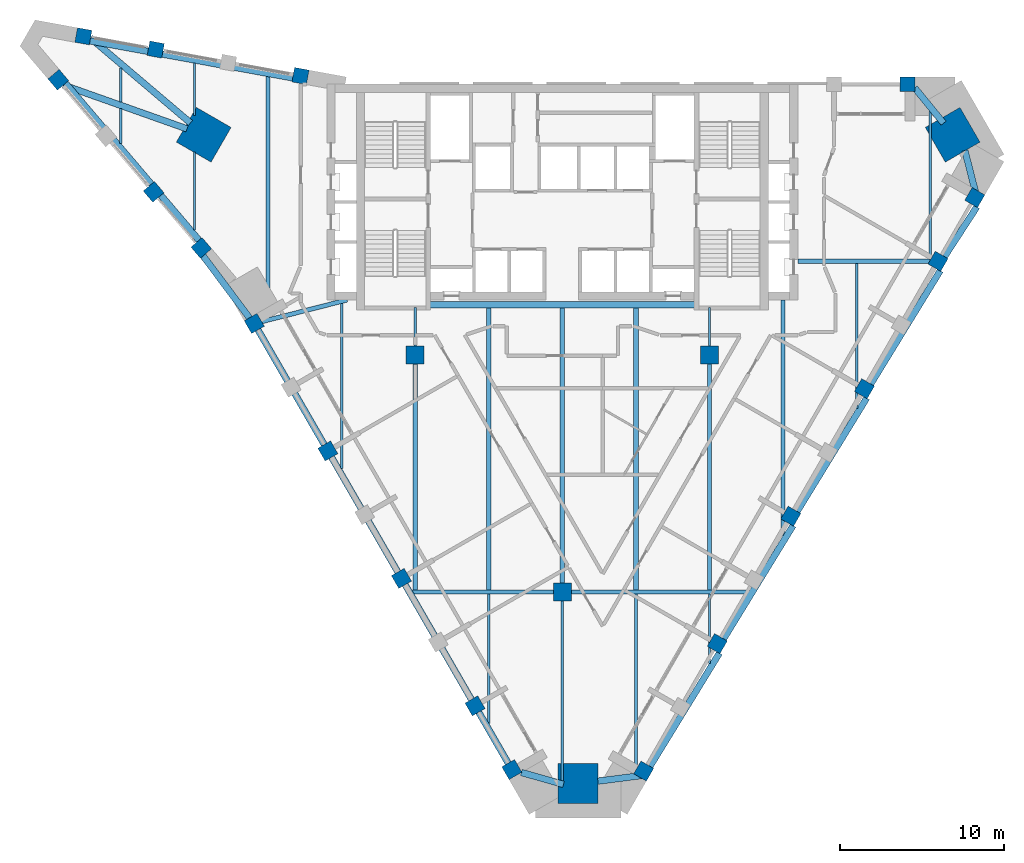
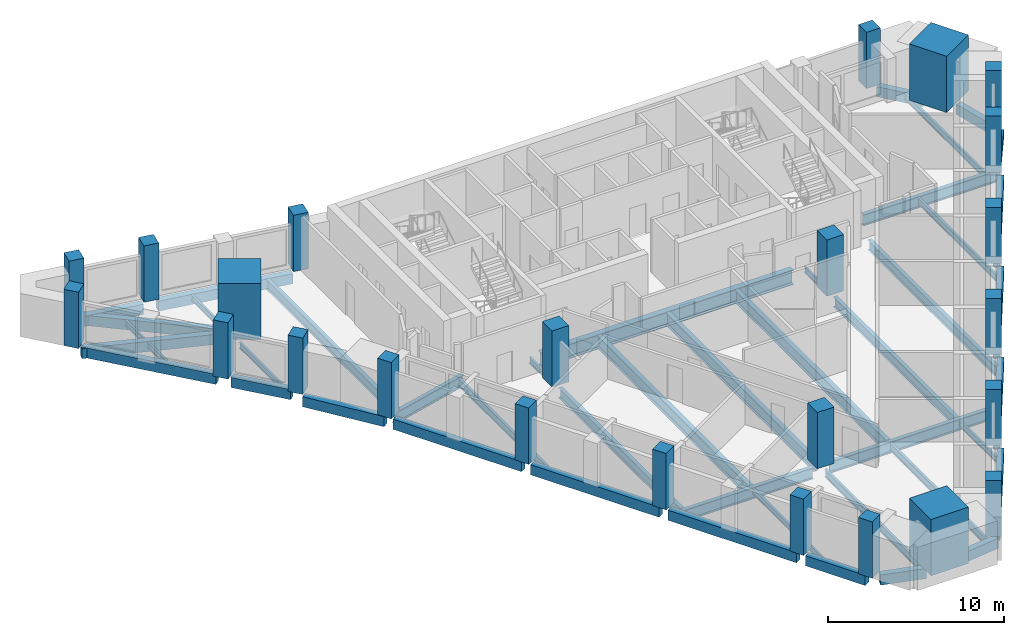
# One storey, part 1 of 9: 45 beams, 24 columns.
"""IFC4 building model written with IfcOpenShell, lengths in metres."""

import ifcopenshell
import ifcopenshell.guid

model = None  # the IFC model being written
_history = None  # IfcOwnerHistory: only IFC2X3 demands one
_inside = {}  # id of a spatial element -> (the spatial element, [elements in it])
_under = {}  # id of a project, library or spatial element -> (it, [spatial elements below it])
_declared = {}  # id of a project -> (the project, [libraries it declares])
_typed = {}  # id of a type object -> (the type object, [elements of that type])
_made_of = {}  # id of a material, layer set ... -> (it, [elements and type objects made of it])


def new_model(schema):
    """Start an empty IFC model of exactly this schema.

    Asked for "IFC4X3", IfcOpenShell would pick the latest addendum, in which some entities
    have other attributes; the version numbers below select the first issue.
    IFC2X3 requires an IfcOwnerHistory on every rooted entity: one is made here for all.
    """
    global model, _history
    if schema == "IFC4X3":
        model = ifcopenshell.file(schema_version=(4, 3, 0, 0))
    else:
        model = ifcopenshell.file(schema=schema)
    _inside.clear()
    _under.clear()
    _declared.clear()
    _typed.clear()
    _made_of.clear()
    _history = None
    if model.schema == "IFC2X3":
        org = make("IfcOrganization", Name="unknown")
        user = make(
            "IfcPersonAndOrganization",
            ThePerson=make("IfcPerson", FamilyName="unknown"),
            TheOrganization=org,
        )
        app = make(
            "IfcApplication",
            ApplicationDeveloper=org,
            Version="unknown",
            ApplicationFullName="unknown",
            ApplicationIdentifier="unknown",
        )
        _history = make(
            "IfcOwnerHistory",
            OwningUser=user,
            OwningApplication=app,
            ChangeAction="ADDED",
            CreationDate=0,
        )
    return model


def make(cls, **values):
    """One entity of the class cls with the attributes given. An attribute that is None is left unset."""
    return model.create_entity(
        cls, **{name: value for name, value in values.items() if value is not None}
    )


def rooted(cls, **values):
    """An entity with a GlobalId (a new one), such as an element, a storey or a relation."""
    return make(cls, GlobalId=ifcopenshell.guid.new(), OwnerHistory=_history, **values)


def si_unit(unit_type, name, prefix=None):
    """IfcSIUnit, for example si_unit("LENGTHUNIT", "METRE", prefix="MILLI")."""
    return make("IfcSIUnit", UnitType=unit_type, Prefix=prefix, Name=name)


def assignment(units):
    """IfcUnitAssignment: the units of a project."""
    return None if units is None else make("IfcUnitAssignment", Units=units)


def point(xyz):
    """IfcCartesianPoint."""
    return None if xyz is None else make("IfcCartesianPoint", Coordinates=xyz)


def direction(xyz):
    """IfcDirection."""
    return None if xyz is None else make("IfcDirection", DirectionRatios=xyz)


def frame(location, z_axis=None, x_axis=None):
    """IfcAxis2Placement3D, a coordinate frame: its origin and axes. An axis left out is left unset."""
    return make(
        "IfcAxis2Placement3D",
        Location=point(location),
        Axis=direction(z_axis),
        RefDirection=direction(x_axis),
    )


def frame_2d(location, x_axis=None):
    """IfcAxis2Placement2D, a coordinate frame in the plane: its origin and x axis."""
    return make(
        "IfcAxis2Placement2D", Location=point(location), RefDirection=direction(x_axis)
    )


def origin():
    """The frame at (0, 0, 0) with its axes left unset."""
    return frame((0.0, 0.0, 0.0))


def origin_2d():
    """The frame at (0, 0) in the plane with its x axis left unset."""
    return frame_2d((0.0, 0.0))


def place(relative_to, where):
    """IfcLocalPlacement: puts the frame where relative to a parent placement (None: the world)."""
    return make(
        "IfcLocalPlacement", PlacementRelTo=relative_to, RelativePlacement=where
    )


def context(
    kind, dimensions, precision=None, world=None, true_north=None, identifier=None
):
    """IfcGeometricRepresentationContext, for example the 3D "Model" context."""
    return make(
        "IfcGeometricRepresentationContext",
        ContextIdentifier=identifier,
        ContextType=kind,
        CoordinateSpaceDimension=dimensions,
        Precision=precision,
        WorldCoordinateSystem=world,
        TrueNorth=true_north,
    )


def subcontext(parent, identifier, kind, view, scale=None):
    """IfcGeometricRepresentationSubContext, for example "Body" below "Model"."""
    return make(
        "IfcGeometricRepresentationSubContext",
        ContextIdentifier=identifier,
        ContextType=kind,
        ParentContext=parent,
        TargetScale=scale,
        TargetView=view,
    )


def project(units=None, contexts=None):
    """IfcProject with its units and contexts."""
    return rooted(
        "IfcProject",
        Name="project",
        RepresentationContexts=contexts,
        UnitsInContext=assignment(units),
    )


def spatial(cls, under=None, at=None, **own):
    """A site, building, storey or space (cls), placed at a placement, below another one or the project."""
    s = rooted(cls, ObjectPlacement=at, **own)
    if under is not None:
        _under.setdefault(under.id(), (under, []))[1].append(s)
    return s


def profile(cls, at=None, kind="AREA", **sizes):
    """A parametric profile (cls). Its sizes go by their IFC names, for example OverallWidth=200.0."""
    return make(cls, ProfileType=kind, Position=at, **sizes)


def rectangle(**sizes):
    """IfcRectangleProfileDef."""
    return profile("IfcRectangleProfileDef", **sizes)


def i_section(**sizes):
    """IfcIShapeProfileDef."""
    return profile("IfcIShapeProfileDef", **sizes)


def extrude(swept, where, along, depth):
    """IfcExtrudedAreaSolid: the profile swept, set in the frame where, extruded along a direction by depth."""
    return make(
        "IfcExtrudedAreaSolid",
        SweptArea=swept,
        Position=where,
        ExtrudedDirection=direction(along),
        Depth=depth,
    )


def shape(context_of_items, identifier, shape_type, items):
    """IfcShapeRepresentation: the items that make up one representation, for example the "Body"."""
    return make(
        "IfcShapeRepresentation",
        ContextOfItems=context_of_items,
        RepresentationIdentifier=identifier,
        RepresentationType=shape_type,
        Items=items,
    )


def material(Name=None, Category=None):
    """IfcMaterial."""
    return make("IfcMaterial", Name=Name, Category=Category)


def material_profile(
    of_material, cross_section, Name=None, Category=None, Priority=None
):
    """IfcMaterialProfile: a cross section and its material."""
    return make(
        "IfcMaterialProfile",
        Name=Name,
        Material=of_material,
        Profile=cross_section,
        Priority=Priority,
        Category=Category,
    )


def profile_set(profiles, Name=None, composite=None):
    """IfcMaterialProfileSet."""
    return make(
        "IfcMaterialProfileSet",
        Name=Name,
        MaterialProfiles=profiles,
        CompositeProfile=composite,
    )


def made_of(thing, what):
    """Note that an element or type object is made of a material, layer set ...; save() writes the relation."""
    if what is not None:
        _made_of.setdefault(what.id(), (what, []))[1].append(thing)
    return thing


def type_object(cls, material=None, **own):
    """A type object (cls), such as IfcWallType, which elements share."""
    return made_of(rooted(cls, **own), material)


def element(
    cls,
    number,
    at=None,
    inside=None,
    cuts=None,
    type_object=None,
    material=None,
    context=None,
    identifier="Body",
    shape_type=None,
    held_by="IfcProductDefinitionShape",
    body=None,
    shapes=None,
    **own,
):
    """One element of the class cls, such as IfcWall. Its Tag is "e" and its number.

    at: its placement. inside: the storey or other place that contains it. cuts: it is an
    opening in that element (IfcRelVoidsElement). A single representation is given by context,
    identifier, shape_type and body (its items); several are given by shapes. held_by: the class
    of the entity that holds the representations. save() writes the other relations.
    """
    e = rooted(cls, Tag="e%d" % number, ObjectPlacement=at, **own)
    if body is not None:
        shapes = [shape(context, identifier, shape_type, body)]
    if shapes is not None:
        e.Representation = make(held_by, Representations=shapes)
    if inside is not None:
        _inside.setdefault(inside.id(), (inside, []))[1].append(e)
    if cuts is not None:
        rooted(
            "IfcRelVoidsElement", RelatingBuildingElement=cuts, RelatedOpeningElement=e
        )
    if type_object is not None:
        _typed.setdefault(type_object.id(), (type_object, []))[1].append(e)
    return made_of(e, material)


def aggregate(whole, parts):
    """IfcRelAggregates: a whole, such as a stair, and the parts it consists of."""
    return rooted("IfcRelAggregates", RelatingObject=whole, RelatedObjects=parts)


def save(model, path):
    """Write the relations noted so far, then the file.

    IfcRelAggregates (storeys below a building ...), IfcRelContainedInSpatialStructure (elements
    in a storey), IfcRelDefinesByType, IfcRelAssociatesMaterial and IfcRelDeclares: one each for
    every whole, place, type object, material and project.
    """
    for whole, parts in _under.values():
        aggregate(whole, parts)
    for where, things in _inside.values():
        rooted(
            "IfcRelContainedInSpatialStructure",
            RelatedElements=things,
            RelatingStructure=where,
        )
    for kind, things in _typed.values():
        rooted("IfcRelDefinesByType", RelatedObjects=things, RelatingType=kind)
    for what, things in _made_of.values():
        rooted("IfcRelAssociatesMaterial", RelatedObjects=things, RelatingMaterial=what)
    for by, libraries in _declared.values():
        rooted("IfcRelDeclares", RelatingContext=by, RelatedDefinitions=libraries)
    model.write(path)


model = new_model("IFC4")

# Units and contexts
model_context = context("Model", 3, precision=1e-05, world=origin(), true_north=direction((0.0, 1.0)))
body_context = subcontext(model_context, "Body", "Model", "MODEL_VIEW")
ifc_project = project(units=[si_unit("LENGTHUNIT", "METRE"), si_unit("AREAUNIT", "SQUARE_METRE"), si_unit("VOLUMEUNIT", "CUBIC_METRE"), si_unit("PLANEANGLEUNIT", "RADIAN"), si_unit("MASSUNIT", "GRAM", prefix="KILO")], contexts=[model_context])

# Site, building, storey
site_placement = place(None, origin())
site = spatial("IfcSite", under=ifc_project, at=site_placement, CompositionType="ELEMENT")
building_placement = place(site_placement, origin())
building = spatial("IfcBuilding", under=site, at=building_placement, Name="Calabash Gate Tower", CompositionType="ELEMENT")
storey_placement = place(building_placement, frame((0.0, 0.0, 208.10009765625)))
storey = spatial("IfcBuildingStorey", under=building, at=storey_placement, Name="L49", CompositionType="ELEMENT", Elevation=208.10009765625)

# Columns
ifc_material_1 = material(Name="Concrete C60/75", Category="concrete")
ifc_material_profile_1 = material_profile(ifc_material_1, rectangle(XDim=1.10009765625, YDim=1.10009765625, at=origin_2d()))
ifc_profile_set_1 = profile_set([ifc_material_profile_1], Name="Concrete C60/75")
column_type_1 = type_object("IfcColumnType", Name="Interior column RC 1100x1100 Concrete C60/75", PredefinedType="COLUMN", material=ifc_profile_set_1)
for number, where, z_axis, x_axis, name in (
    (1, (-9.0, 2.5, 0.0), (0.0, 0.0, 1.0), (1.0, 0.0, 0.0), "Interior column L49 I0"),
    (2, (9.0, 2.5, 0.0), (0.0, 0.0, 1.0), (1.0, 0.0, 0.0), "Interior column L49 I1"),
    (3, (0.0, -12.0, 0.0), (0.0, 0.0, 1.0), (1.0, 0.0, 0.0), "Interior column L49 I2"),
):
    element("IfcColumn", number, at=place(storey_placement, frame(where, z_axis=z_axis, x_axis=x_axis)), inside=storey, type_object=column_type_1, Name=name, PredefinedType="COLUMN", context=body_context, shape_type="SweptSolid", body=[
        extrude(rectangle(XDim=1.10009765625, YDim=1.10009765625, at=origin_2d()), origin(), (0.0, 0.0, 1.0), 3.89990234375),
    ])
ifc_material_2 = material(Name="Concrete C70/85", Category="concrete")
ifc_material_profile_2 = material_profile(ifc_material_2, rectangle(XDim=2.449951171875, YDim=2.449951171875, at=origin_2d()))
ifc_profile_set_2 = profile_set([ifc_material_profile_2], Name="Concrete C70/85")
column_type_2 = type_object("IfcColumnType", Name="Mega column RC 2450x2450 Concrete C70/85", PredefinedType="COLUMN", material=ifc_profile_set_2)
for number, where, z_axis, x_axis, name in (
    (4, (-21.93310546875, 15.958984375, 0.0), (0.0, 0.0, 1.0), (0.866025386331, -0.50000003023, 0.0), "Mega column L49 NW"),
    (5, (23.868896484375, 15.958984375, 0.0), (0.0, 0.0, 1.0), (-0.866025386331, -0.50000003023, 0.0), "Mega column L49 NE"),
    (6, (0.968017578125, -23.70703125, 0.0), (0.0, 0.0, 1.0), (0.0, 1.0, 0.0), "Mega column L49 S"),
):
    element("IfcColumn", number, at=place(storey_placement, frame(where, z_axis=z_axis, x_axis=x_axis)), inside=storey, type_object=column_type_2, Name=name, PredefinedType="COLUMN", context=body_context, shape_type="SweptSolid", body=[
        extrude(rectangle(XDim=2.449951171875, YDim=2.449951171875, at=origin_2d()), origin(), (0.0, 0.0, 1.0), 3.89990234375),
    ])
ifc_material_3 = material(Name="Concrete C60/75", Category="concrete")
ifc_material_profile_3 = material_profile(ifc_material_3, rectangle(XDim=0.89990234375, YDim=0.89990234375, at=origin_2d()))
ifc_profile_set_3 = profile_set([ifc_material_profile_3], Name="Concrete C60/75")
column_type_3 = type_object("IfcColumnType", Name="Perimeter column RC 900x900 Concrete C60/75", PredefinedType="COLUMN", material=ifc_profile_set_3)
for number, where, z_axis, x_axis, name in (
    (7, (-18.840087890625, 4.4169921875, 0.0), (0.0, 0.0, 1.0), (0.499999984885, -0.866025412511, 0.0), "Perimeter column L49 P00"),
    (8, (-14.340087890625, -3.37890625, 0.0), (0.0, 0.0, 1.0), (0.499999984885, -0.866025412511, 0.0), "Perimeter column L49 P01"),
    (9, (-9.840087890625, -11.173095703125, 0.0), (0.0, 0.0, 1.0), (0.499999984885, -0.866025412511, 0.0), "Perimeter column L49 P02"),
    (10, (-5.340087890625, -18.967041015625, 0.0), (0.0, 0.0, 1.0), (0.499999984885, -0.866025412511, 0.0), "Perimeter column L49 P03"),
    (11, (-3.090087890625, -22.863037109375, 0.0), (0.0, 0.0, 1.0), (0.499999984885, -0.866025412511, 0.0), "Perimeter column L49 P25"),
    (12, (4.972900390625, -22.95703125, 0.0), (0.0, 0.0, 1.0), (0.5, 0.866025403784, 0.0), "Perimeter column L49 P08"),
    (13, (9.472900390625, -15.1630859375, 0.0), (0.0, 0.0, 1.0), (0.5, 0.866025403784, 0.0), "Perimeter column L49 P09"),
    (14, (13.972900390625, -7.368896484375, 0.0), (0.0, 0.0, 1.0), (0.5, 0.866025403784, 0.0), "Perimeter column L49 P10"),
    (15, (18.472900390625, 0.427001953125, 0.0), (0.0, 0.0, 1.0), (0.5, 0.866025403784, 0.0), "Perimeter column L49 P11"),
    (16, (22.972900390625, 8.218994140625, 0.0), (0.0, 0.0, 1.0), (0.5, 0.866025403784, 0.0), "Perimeter column L49 P12"),
    (17, (25.222900390625, 12.116943359375, 0.0), (0.0, 0.0, 1.0), (0.5, 0.866025403784, 0.0), "Perimeter column L49 P13"),
    (18, (21.111083984375, 19.052978515625, 0.0), (0.0, 0.0, 1.0), (-1.0, 0.0, 0.0), "Perimeter column L49 P24"),
    (19, (-16.012939453125, 19.551025390625, 0.0), (0.0, 0.0, 1.0), (-0.983669930074, 0.179981856499, 0.0), "Perimeter column L49 P31"),
    (20, (-24.865966796875, 21.1708984375, 0.0), (0.0, 0.0, 1.0), (-0.983669930074, 0.179981856499, 0.0), "Perimeter column L49 P32"),
    (21, (-29.29296875, 21.97998046875, 0.0), (0.0, 0.0, 1.0), (-0.983669930074, 0.179981856499, 0.0), "Perimeter column L49 P33"),
    (22, (-30.827880859375, 19.322021484375, 0.0), (0.0, 0.0, 1.0), (0.647703824985, -0.761892220133, 0.0), "Perimeter column L49 P34"),
    (23, (-24.998046875, 12.467041015625, 0.0), (0.0, 0.0, 1.0), (0.647703824985, -0.761892220133, 0.0), "Perimeter column L49 P20"),
    (24, (-22.083984375, 9.037109375, 0.0), (0.0, 0.0, 1.0), (0.647703824985, -0.761892220133, 0.0), "Perimeter column L49 P35"),
):
    element("IfcColumn", number, at=place(storey_placement, frame(where, z_axis=z_axis, x_axis=x_axis)), inside=storey, type_object=column_type_3, Name=name, PredefinedType="COLUMN", context=body_context, shape_type="SweptSolid", body=[
        extrude(rectangle(XDim=0.89990234375, YDim=0.89990234375, at=origin_2d()), origin(), (0.0, 0.0, 1.0), 3.89990234375),
    ])

# Beams
ifc_material_4 = material(Name="Concrete C50/60", Category="concrete")
ifc_material_profile_4 = material_profile(ifc_material_4, rectangle(XDim=0.39990234375, YDim=0.699951171875, at=origin_2d()))
ifc_profile_set_4 = profile_set([ifc_material_profile_4], Name="Concrete C50/60")
beam_type_1 = type_object("IfcBeamType", Name="Edge beam RC 400x700 Concrete C50/60", PredefinedType="BEAM", material=ifc_profile_set_4)
beam_1_placement = place(storey_placement, frame((-14.1279296875, -3.7470703125, -0.52001953125), z_axis=(0.500069781462, -0.86598511169, 0.0), x_axis=(0.86598511169, 0.500069781462, 0.0)))
element("IfcBeam", 25, at=beam_1_placement, inside=storey, type_object=beam_type_1, Name="Edge beam L49 1", PredefinedType="BEAM", context=body_context, shape_type="SweptSolid", body=[
    extrude(rectangle(XDim=0.39990234375, YDim=0.699951171875, at=origin_2d()), origin(), (0.0, 0.0, 1.0), 8.416748046875),
])
beam_2_placement = place(storey_placement, frame((-9.6279296875, -11.541015625, -0.52001953125), z_axis=(0.500006981563, -0.86602137294, 0.0), x_axis=(0.86602137294, 0.500006981563, 0.0)))
element("IfcBeam", 26, at=beam_2_placement, inside=storey, type_object=beam_type_1, Name="Edge beam L49 2", PredefinedType="BEAM", context=body_context, shape_type="SweptSolid", body=[
    extrude(rectangle(XDim=0.39990234375, YDim=0.699951171875, at=origin_2d()), origin(), (0.0, 0.0, 1.0), 8.41796875),
])
beam_3_placement = place(storey_placement, frame((-5.1279296875, -19.3330078125, -0.52001953125), z_axis=(0.499783563124, -0.866150327617, 0.0), x_axis=(0.866150327617, 0.499783563124, 0.0)))
element("IfcBeam", 27, at=beam_3_placement, inside=storey, type_object=beam_type_1, Name="Edge beam L49 3", PredefinedType="BEAM", context=body_context, shape_type="SweptSolid", body=[
    extrude(rectangle(XDim=0.39990234375, YDim=0.699951171875, at=origin_2d()), origin(), (0.0, 0.0, 1.0), 3.919677734375),
])
beam_4_placement = place(storey_placement, frame((-2.511962890625, -23.0390625, -0.52001953125), z_axis=(0.961954903089, -0.273208280299, 0.0), x_axis=(0.273208280299, 0.961954903089, 0.0)))
element("IfcBeam", 28, at=beam_4_placement, inside=storey, type_object=beam_type_1, Name="Edge beam L49 4", PredefinedType="BEAM", context=body_context, shape_type="SweptSolid", body=[
    extrude(rectangle(XDim=0.39990234375, YDim=0.699951171875, at=origin_2d()), origin(), (0.0, 0.0, 1.0), 2.686279296875),
])
beam_5_placement = place(storey_placement, frame((2.172119140625, -23.572998046875, -0.52001953125), z_axis=(0.991784485926, 0.127920027662, 0.0), x_axis=(-0.127920027662, 0.991784485926, 0.0)))
element("IfcBeam", 29, at=beam_5_placement, inside=storey, type_object=beam_type_1, Name="Edge beam L49 5", PredefinedType="BEAM", context=body_context, shape_type="SweptSolid", body=[
    extrude(rectangle(XDim=0.39990234375, YDim=0.699951171875, at=origin_2d()), origin(), (0.0, 0.0, 1.0), 2.86865234375),
])
beam_6_placement = place(storey_placement, frame((5.35009765625, -22.680908203125, -0.52001953125), z_axis=(0.522678714297, 0.852529742367, 0.0), x_axis=(-0.852529742367, 0.522678714297, 0.0)))
element("IfcBeam", 30, at=beam_6_placement, inside=storey, type_object=beam_type_1, Name="Edge beam L49 6", PredefinedType="BEAM", context=body_context, shape_type="SweptSolid", body=[
    extrude(rectangle(XDim=0.39990234375, YDim=0.699951171875, at=origin_2d()), origin(), (0.0, 0.0, 1.0), 8.146240234375),
])
for number, where, z_axis, x_axis, name in (
    (31, (9.85009765625, -14.886962890625, -0.52001953125), (0.522611947946, 0.85257067265, 0.0), (-0.85257067265, 0.522611947946, 0.0), "Edge beam L49 7"),
    (32, (14.35009765625, -7.093017578125, -0.52001953125), (0.522611947946, 0.85257067265, 0.0), (-0.85257067265, 0.522611947946, 0.0), "Edge beam L49 8"),
    (33, (18.85009765625, 0.700927734375, -0.52001953125), (0.522611947946, 0.85257067265, 0.0), (-0.85257067265, 0.522611947946, 0.0), "Edge beam L49 9"),
):
    element("IfcBeam", number, at=place(storey_placement, frame(where, z_axis=z_axis, x_axis=x_axis)), inside=storey, type_object=beam_type_1, Name=name, PredefinedType="BEAM", context=body_context, shape_type="SweptSolid", body=[
        extrude(rectangle(XDim=0.39990234375, YDim=0.699951171875, at=origin_2d()), origin(), (0.0, 0.0, 1.0), 8.147216796875),
    ])
beam_7_placement = place(storey_placement, frame((23.360107421875, 8.489990234375, -0.52001953125), z_axis=(0.544748454495, 0.838599499955, 0.0), x_axis=(-0.838599499955, 0.544748454495, 0.0)))
element("IfcBeam", 34, at=beam_7_placement, inside=storey, type_object=beam_type_1, Name="Edge beam L49 10", PredefinedType="BEAM", context=body_context, shape_type="SweptSolid", body=[
    extrude(rectangle(XDim=0.39990234375, YDim=0.699951171875, at=origin_2d()), origin(), (0.0, 0.0, 1.0), 3.64892578125),
])
beam_8_placement = place(storey_placement, frame((25.366943359375, 12.06396484375, -0.52001953125), z_axis=(-0.247878982629, 0.968791004279, 0.0), x_axis=(-0.968791004279, -0.247878982629, 0.0)))
element("IfcBeam", 35, at=beam_8_placement, inside=storey, type_object=beam_type_1, Name="Edge beam L49 11", PredefinedType="BEAM", context=body_context, shape_type="SweptSolid", body=[
    extrude(rectangle(XDim=0.39990234375, YDim=0.699951171875, at=origin_2d()), origin(), (0.0, 0.0, 1.0), 3.029541015625),
])
beam_9_placement = place(storey_placement, frame((23.31689453125, 16.6669921875, -0.52001953125), z_axis=(-0.633512825454, 0.7737321888, 0.0), x_axis=(-0.7737321888, -0.633512825454, 0.0)))
element("IfcBeam", 36, at=beam_9_placement, inside=storey, type_object=beam_type_1, Name="Edge beam L49 12", PredefinedType="BEAM", context=body_context, shape_type="SweptSolid", body=[
    extrude(rectangle(XDim=0.39990234375, YDim=0.699951171875, at=origin_2d()), origin(), (0.0, 0.0, 1.0), 2.80322265625),
])
beam_10_placement = place(storey_placement, frame((-16.491943359375, 19.43701171875, -0.52001953125), z_axis=(-0.983710376503, 0.179760660767, 0.0), x_axis=(-0.179760660767, -0.983710376503, 0.0)))
element("IfcBeam", 37, at=beam_10_placement, inside=storey, type_object=beam_type_1, Name="Edge beam L49 13", PredefinedType="BEAM", context=body_context, shape_type="SweptSolid", body=[
    extrude(rectangle(XDim=0.39990234375, YDim=0.699951171875, at=origin_2d()), origin(), (0.0, 0.0, 1.0), 8.099853515625),
])
beam_11_placement = place(storey_placement, frame((-25.343017578125, 21.056884765625, -0.52001953125), z_axis=(-0.983780846892, 0.179374594879, 0.0), x_axis=(-0.179374594879, -0.983780846892, 0.0)))
element("IfcBeam", 38, at=beam_11_placement, inside=storey, type_object=beam_type_1, Name="Edge beam L49 14", PredefinedType="BEAM", context=body_context, shape_type="SweptSolid", body=[
    extrude(rectangle(XDim=0.39990234375, YDim=0.699951171875, at=origin_2d()), origin(), (0.0, 0.0, 1.0), 3.601318359375),
])
beam_12_placement = place(storey_placement, frame((-28.8720703125, 21.885986328125, -0.52001953125), z_axis=(0.762422414558, -0.647079640987, 0.0), x_axis=(0.647079640987, 0.762422414558, 0.0)))
element("IfcBeam", 39, at=beam_12_placement, inside=storey, type_object=beam_type_1, Name="Edge beam L49 15", PredefinedType="BEAM", context=body_context, shape_type="SweptSolid", body=[
    extrude(rectangle(XDim=0.39990234375, YDim=0.699951171875, at=origin_2d()), origin(), (0.0, 0.0, 1.0), 8.0390625),
])
beam_13_placement = place(storey_placement, frame((-22.952880859375, 16.320068359375, -0.52001953125), z_axis=(-0.942585027274, 0.333966265299, 0.0), x_axis=(-0.333966265299, -0.942585027274, 0.0)))
element("IfcBeam", 40, at=beam_13_placement, inside=storey, type_object=beam_type_1, Name="Edge beam L49 16", PredefinedType="BEAM", context=body_context, shape_type="SweptSolid", body=[
    extrude(rectangle(XDim=0.39990234375, YDim=0.699951171875, at=origin_2d()), origin(), (0.0, 0.0, 1.0), 8.042724609375),
])
beam_14_placement = place(storey_placement, frame((-30.384033203125, 19.10888671875, -0.52001953125), z_axis=(0.647777896435, -0.761829243919, 0.0), x_axis=(0.761829243919, 0.647777896435, 0.0)))
element("IfcBeam", 41, at=beam_14_placement, inside=storey, type_object=beam_type_1, Name="Edge beam L49 17", PredefinedType="BEAM", context=body_context, shape_type="SweptSolid", body=[
    extrude(rectangle(XDim=0.39990234375, YDim=0.699951171875, at=origin_2d()), origin(), (0.0, 0.0, 1.0), 8.10009765625),
])
beam_15_placement = place(storey_placement, frame((-24.553955078125, 12.251953125, -0.52001953125), z_axis=(0.647579511056, -0.761997885076, 0.0), x_axis=(0.761997885076, 0.647579511056, 0.0)))
element("IfcBeam", 42, at=beam_15_placement, inside=storey, type_object=beam_type_1, Name="Edge beam L49 18", PredefinedType="BEAM", context=body_context, shape_type="SweptSolid", body=[
    extrude(rectangle(XDim=0.39990234375, YDim=0.699951171875, at=origin_2d()), origin(), (0.0, 0.0, 1.0), 3.599609375),
])
beam_16_placement = place(storey_placement, frame((-21.97900390625, 8.56396484375, -0.52001953125), z_axis=(0.598719792609, -0.800958556941, 0.0), x_axis=(0.800958556941, 0.598719792609, 0.0)))
element("IfcBeam", 43, at=beam_16_placement, inside=storey, type_object=beam_type_1, Name="Edge beam L49 19", PredefinedType="BEAM", context=body_context, shape_type="SweptSolid", body=[
    extrude(rectangle(XDim=0.39990234375, YDim=0.699951171875, at=origin_2d()), origin(), (0.0, 0.0, 1.0), 5.03759765625),
])
beam_17_placement = place(storey_placement, frame((-18.6279296875, 4.047119140625, -0.52001953125), z_axis=(0.50005722043, -0.865992365033, 0.0), x_axis=(0.865992365033, 0.50005722043, 0.0)))
element("IfcBeam", 44, at=beam_17_placement, inside=storey, type_object=beam_type_1, Name="Edge beam L49 20", PredefinedType="BEAM", context=body_context, shape_type="SweptSolid", body=[
    extrude(rectangle(XDim=0.39990234375, YDim=0.699951171875, at=origin_2d()), origin(), (0.0, 0.0, 1.0), 8.4169921875),
])
ifc_material_5 = material(Name="Steel ASTM A992 Gr50", Category="steel")
ifc_material_profile_5 = material_profile(ifc_material_5, i_section(OverallWidth=0.1396484375, OverallDepth=0.398681640625, WebThickness=0.00634765625, FlangeThickness=0.0087890625, FilletRadius=0.01025390625, at=origin_2d()))
ifc_profile_set_5 = profile_set([ifc_material_profile_5], Name="Steel ASTM A992 Gr50")
beam_type_2 = type_object("IfcBeamType", Name="Floor beam W16x26 ASTM A992 Gr50", PredefinedType="BEAM", material=ifc_profile_set_5)
beam_18_placement = place(storey_placement, frame((-27.0, 15.416015625, -0.369140625), z_axis=(0.0, 1.0, 0.0), x_axis=(-1.0, 0.0, 0.0)))
element("IfcBeam", 45, at=beam_18_placement, inside=storey, type_object=beam_type_2, Name="Floor beam L49 1", PredefinedType="BEAM", context=body_context, shape_type="SweptSolid", body=[
    extrude(i_section(OverallWidth=0.1396484375, OverallDepth=0.398681640625, WebThickness=0.00634765625, FlangeThickness=0.0087890625, FilletRadius=0.01025390625, at=origin_2d()), origin(), (0.0, 0.0, 1.0), 2.136962890625),
])
beam_19_placement = place(storey_placement, frame((-27.0, 17.9541015625, -0.369140625), z_axis=(0.0, 1.0, 0.0), x_axis=(-1.0, 0.0, 0.0)))
element("IfcBeam", 46, at=beam_19_placement, inside=storey, type_object=beam_type_2, Name="Floor beam L49 2", PredefinedType="BEAM", context=body_context, shape_type="SweptSolid", body=[
    extrude(i_section(OverallWidth=0.1396484375, OverallDepth=0.398681640625, WebThickness=0.00634765625, FlangeThickness=0.0087890625, FilletRadius=0.01025390625, at=origin_2d()), origin(), (0.0, 0.0, 1.0), 2.101806640625),
])
beam_20_placement = place(storey_placement, frame((-22.5, 10.1220703125, -0.369140625), z_axis=(0.0, 1.0, 0.0), x_axis=(-1.0, 0.0, 0.0)))
element("IfcBeam", 47, at=beam_20_placement, inside=storey, type_object=beam_type_2, Name="Floor beam L49 3", PredefinedType="BEAM", context=body_context, shape_type="SweptSolid", body=[
    extrude(i_section(OverallWidth=0.1396484375, OverallDepth=0.398681640625, WebThickness=0.00634765625, FlangeThickness=0.0087890625, FilletRadius=0.01025390625, at=origin_2d()), origin(), (0.0, 0.0, 1.0), 4.77490234375),
])
beam_21_placement = place(storey_placement, frame((-22.5, 17.14697265625, -0.369140625), z_axis=(0.0, 1.0, 0.0), x_axis=(-1.0, 0.0, 0.0)))
element("IfcBeam", 48, at=beam_21_placement, inside=storey, type_object=beam_type_2, Name="Floor beam L49 4", PredefinedType="BEAM", context=body_context, shape_type="SweptSolid", body=[
    extrude(i_section(OverallWidth=0.1396484375, OverallDepth=0.398681640625, WebThickness=0.00634765625, FlangeThickness=0.0087890625, FilletRadius=0.01025390625, at=origin_2d()), origin(), (0.0, 0.0, 1.0), 3.216064453125),
])
beam_22_placement = place(storey_placement, frame((-9.0, 3.050048828125, -0.369140625), z_axis=(0.0, 1.0, 0.0), x_axis=(-1.0, 0.0, 0.0)))
element("IfcBeam", 49, at=beam_22_placement, inside=storey, type_object=beam_type_2, Name="Floor beam L49 8", PredefinedType="BEAM", context=body_context, shape_type="SweptSolid", body=[
    extrude(i_section(OverallWidth=0.1396484375, OverallDepth=0.398681640625, WebThickness=0.00634765625, FlangeThickness=0.0087890625, FilletRadius=0.01025390625, at=origin_2d()), origin(), (0.0, 0.0, 1.0), 2.35302734375),
])
beam_23_placement = place(storey_placement, frame((-4.5, -20.033935546875, -0.369140625), z_axis=(0.0, 1.0, 0.0), x_axis=(-1.0, 0.0, 0.0)))
element("IfcBeam", 50, at=beam_23_placement, inside=storey, type_object=beam_type_2, Name="Floor beam L49 9", PredefinedType="BEAM", context=body_context, shape_type="SweptSolid", body=[
    extrude(i_section(OverallWidth=0.1396484375, OverallDepth=0.398681640625, WebThickness=0.00634765625, FlangeThickness=0.0087890625, FilletRadius=0.01025390625, at=origin_2d()), origin(), (0.0, 0.0, 1.0), 7.90087890625),
])
beam_24_placement = place(storey_placement, frame((9.0, -16.3740234375, -0.369140625), z_axis=(0.0, 1.0, 0.0), x_axis=(-1.0, 0.0, 0.0)))
element("IfcBeam", 51, at=beam_24_placement, inside=storey, type_object=beam_type_2, Name="Floor beam L49 15", PredefinedType="BEAM", context=body_context, shape_type="SweptSolid", body=[
    extrude(i_section(OverallWidth=0.1396484375, OverallDepth=0.398681640625, WebThickness=0.00634765625, FlangeThickness=0.0087890625, FilletRadius=0.01025390625, at=origin_2d()), origin(), (0.0, 0.0, 1.0), 4.240966796875),
])
beam_25_placement = place(storey_placement, frame((9.0, 3.050048828125, -0.369140625), z_axis=(0.0, 1.0, 0.0), x_axis=(-1.0, 0.0, 0.0)))
element("IfcBeam", 52, at=beam_25_placement, inside=storey, type_object=beam_type_2, Name="Floor beam L49 17", PredefinedType="BEAM", context=body_context, shape_type="SweptSolid", body=[
    extrude(i_section(OverallWidth=0.1396484375, OverallDepth=0.398681640625, WebThickness=0.00634765625, FlangeThickness=0.0087890625, FilletRadius=0.01025390625, at=origin_2d()), origin(), (0.0, 0.0, 1.0), 2.35302734375),
])
ifc_material_6 = material(Name="Steel ASTM A992 Gr50", Category="steel")
ifc_material_profile_6 = material_profile(ifc_material_6, i_section(OverallWidth=0.15234375, OverallDepth=0.44970703125, WebThickness=0.007568359375, FlangeThickness=0.0107421875, FilletRadius=0.01025390625, at=origin_2d()))
ifc_profile_set_6 = profile_set([ifc_material_profile_6], Name="Steel ASTM A992 Gr50")
beam_type_3 = type_object("IfcBeamType", Name="Floor beam W18x35 ASTM A992 Gr50", PredefinedType="BEAM", material=ifc_profile_set_6)
beam_26_placement = place(storey_placement, frame((18.0, -0.782958984375, -0.39306640625), z_axis=(0.0, 1.0, 0.0), x_axis=(-1.0, 0.0, 0.0)))
element("IfcBeam", 53, at=beam_26_placement, inside=storey, type_object=beam_type_3, Name="Floor beam L49 19", PredefinedType="BEAM", context=body_context, shape_type="SweptSolid", body=[
    extrude(i_section(OverallWidth=0.15234375, OverallDepth=0.44970703125, WebThickness=0.007568359375, FlangeThickness=0.0107421875, FilletRadius=0.01025390625, at=origin_2d()), origin(), (0.0, 0.0, 1.0), 8.868896484375),
])
beam_27_placement = place(storey_placement, frame((22.5, 8.321044921875, -0.39306640625), z_axis=(0.0, 1.0, 0.0), x_axis=(-1.0, 0.0, 0.0)))
element("IfcBeam", 54, at=beam_27_placement, inside=storey, type_object=beam_type_3, Name="Floor beam L49 20", PredefinedType="BEAM", context=body_context, shape_type="SweptSolid", body=[
    extrude(i_section(OverallWidth=0.15234375, OverallDepth=0.44970703125, WebThickness=0.007568359375, FlangeThickness=0.0107421875, FilletRadius=0.01025390625, at=origin_2d()), origin(), (0.0, 0.0, 1.0), 9.052001953125),
])
ifc_material_7 = material(Name="Steel ASTM A992 Gr50", Category="steel")
ifc_material_profile_7 = material_profile(ifc_material_7, i_section(OverallWidth=0.166015625, OverallDepth=0.5283203125, WebThickness=0.009765625, FlangeThickness=0.013671875, FilletRadius=0.0126953125, at=origin_2d()))
ifc_profile_set_7 = profile_set([ifc_material_profile_7], Name="Steel ASTM A992 Gr50")
beam_type_4 = type_object("IfcBeamType", Name="Floor beam W21x50 ASTM A992 Gr50", PredefinedType="BEAM", material=ifc_profile_set_7)
beam_28_placement = place(storey_placement, frame((-13.5, -4.446044921875, -0.43408203125), z_axis=(0.0, 1.0, 0.0), x_axis=(-1.0, 0.0, 0.0)))
element("IfcBeam", 55, at=beam_28_placement, inside=storey, type_object=beam_type_4, Name="Floor beam L49 6", PredefinedType="BEAM", context=body_context, shape_type="SweptSolid", body=[
    extrude(i_section(OverallWidth=0.166015625, OverallDepth=0.5283203125, WebThickness=0.009765625, FlangeThickness=0.013671875, FilletRadius=0.0126953125, at=origin_2d()), origin(), (0.0, 0.0, 1.0), 10.10205078125),
])
beam_29_placement = place(storey_placement, frame((0.0, -23.573974609375, -0.43408203125), z_axis=(0.0, 1.0, 0.0), x_axis=(-1.0, 0.0, 0.0)))
element("IfcBeam", 56, at=beam_29_placement, inside=storey, type_object=beam_type_4, Name="Floor beam L49 11", PredefinedType="BEAM", context=body_context, shape_type="SweptSolid", body=[
    extrude(i_section(OverallWidth=0.166015625, OverallDepth=0.5283203125, WebThickness=0.009765625, FlangeThickness=0.013671875, FilletRadius=0.0126953125, at=origin_2d()), origin(), (0.0, 0.0, 1.0), 11.02392578125),
])
beam_30_placement = place(storey_placement, frame((4.5, -23.087890625, -0.43408203125), z_axis=(0.0, 1.0, 0.0), x_axis=(-1.0, 0.0, 0.0)))
element("IfcBeam", 57, at=beam_30_placement, inside=storey, type_object=beam_type_4, Name="Floor beam L49 13", PredefinedType="BEAM", context=body_context, shape_type="SweptSolid", body=[
    extrude(i_section(OverallWidth=0.166015625, OverallDepth=0.5283203125, WebThickness=0.009765625, FlangeThickness=0.013671875, FilletRadius=0.0126953125, at=origin_2d()), origin(), (0.0, 0.0, 1.0), 10.954833984375),
])
ifc_material_8 = material(Name="Steel ASTM A992 Gr50", Category="steel")
ifc_material_profile_8 = material_profile(ifc_material_8, i_section(OverallWidth=0.25390625, OverallDepth=0.67822265625, WebThickness=0.01171875, FlangeThickness=0.016357421875, FilletRadius=0.01513671875, at=origin_2d()))
ifc_profile_set_8 = profile_set([ifc_material_profile_8], Name="Steel ASTM A992 Gr50")
beam_type_5 = type_object("IfcBeamType", Name="Floor beam W27x84 ASTM A992 Gr50", PredefinedType="BEAM", material=ifc_profile_set_8)
beam_31_placement = place(storey_placement, frame((-18.0, 4.743896484375, -0.509033203125), z_axis=(0.0, 1.0, 0.0), x_axis=(-1.0, 0.0, 0.0)))
element("IfcBeam", 58, at=beam_31_placement, inside=storey, type_object=beam_type_5, Name="Floor beam L49 5", PredefinedType="BEAM", context=body_context, shape_type="SweptSolid", body=[
    extrude(i_section(OverallWidth=0.25390625, OverallDepth=0.67822265625, WebThickness=0.01171875, FlangeThickness=0.016357421875, FilletRadius=0.01513671875, at=origin_2d()), origin(), (0.0, 0.0, 1.0), 14.796142578125),
])
beam_32_placement = place(storey_placement, frame((-9.0, -11.8798828125, -0.509033203125), z_axis=(0.0, 1.0, 0.0), x_axis=(-1.0, 0.0, 0.0)))
element("IfcBeam", 59, at=beam_32_placement, inside=storey, type_object=beam_type_5, Name="Floor beam L49 7", PredefinedType="BEAM", context=body_context, shape_type="SweptSolid", body=[
    extrude(i_section(OverallWidth=0.25390625, OverallDepth=0.67822265625, WebThickness=0.01171875, FlangeThickness=0.016357421875, FilletRadius=0.01513671875, at=origin_2d()), origin(), (0.0, 0.0, 1.0), 13.829833984375),
])
beam_33_placement = place(storey_placement, frame((9.0, -11.866943359375, -0.509033203125), z_axis=(0.0, 1.0, 0.0), x_axis=(-1.0, 0.0, 0.0)))
element("IfcBeam", 60, at=beam_33_placement, inside=storey, type_object=beam_type_5, Name="Floor beam L49 16", PredefinedType="BEAM", context=body_context, shape_type="SweptSolid", body=[
    extrude(i_section(OverallWidth=0.25390625, OverallDepth=0.67822265625, WebThickness=0.01171875, FlangeThickness=0.016357421875, FilletRadius=0.01513671875, at=origin_2d()), origin(), (0.0, 0.0, 1.0), 13.81689453125),
])
beam_34_placement = place(storey_placement, frame((13.5, -8.580078125, -0.509033203125), z_axis=(0.0, 1.0, 0.0), x_axis=(-1.0, 0.0, 0.0)))
element("IfcBeam", 61, at=beam_34_placement, inside=storey, type_object=beam_type_5, Name="Floor beam L49 18", PredefinedType="BEAM", context=body_context, shape_type="SweptSolid", body=[
    extrude(i_section(OverallWidth=0.25390625, OverallDepth=0.67822265625, WebThickness=0.01171875, FlangeThickness=0.016357421875, FilletRadius=0.01513671875, at=origin_2d()), origin(), (0.0, 0.0, 1.0), 14.43310546875),
])
ifc_material_9 = material(Name="Steel ASTM A992 Gr50", Category="steel")
ifc_material_profile_9 = material_profile(ifc_material_9, i_section(OverallWidth=0.2919921875, OverallDepth=0.845703125, WebThickness=0.015380859375, FlangeThickness=0.0244140625, FilletRadius=0.017822265625, at=origin_2d()))
ifc_profile_set_9 = profile_set([ifc_material_profile_9], Name="Steel ASTM A992 Gr50")
beam_type_6 = type_object("IfcBeamType", Name="Floor beam W33x141 ASTM A992 Gr50", PredefinedType="BEAM", material=ifc_profile_set_9)
beam_35_placement = place(storey_placement, frame((-4.5, -11.866943359375, -0.593017578125), z_axis=(0.0, 1.0, 0.0), x_axis=(-1.0, 0.0, 0.0)))
element("IfcBeam", 62, at=beam_35_placement, inside=storey, type_object=beam_type_6, Name="Floor beam L49 10", PredefinedType="BEAM", context=body_context, shape_type="SweptSolid", body=[
    extrude(i_section(OverallWidth=0.2919921875, OverallDepth=0.845703125, WebThickness=0.015380859375, FlangeThickness=0.0244140625, FilletRadius=0.017822265625, at=origin_2d()), origin(), (0.0, 0.0, 1.0), 17.218994140625),
])
beam_36_placement = place(storey_placement, frame((0.0, -11.449951171875, -0.593017578125), z_axis=(0.0, 1.0, 0.0), x_axis=(-1.0, 0.0, 0.0)))
element("IfcBeam", 63, at=beam_36_placement, inside=storey, type_object=beam_type_6, Name="Floor beam L49 12", PredefinedType="BEAM", context=body_context, shape_type="SweptSolid", body=[
    extrude(i_section(OverallWidth=0.2919921875, OverallDepth=0.845703125, WebThickness=0.015380859375, FlangeThickness=0.0244140625, FilletRadius=0.017822265625, at=origin_2d()), origin(), (0.0, 0.0, 1.0), 16.802001953125),
])
beam_37_placement = place(storey_placement, frame((4.5, -11.866943359375, -0.593017578125), z_axis=(0.0, 1.0, 0.0), x_axis=(-1.0, 0.0, 0.0)))
element("IfcBeam", 64, at=beam_37_placement, inside=storey, type_object=beam_type_6, Name="Floor beam L49 14", PredefinedType="BEAM", context=body_context, shape_type="SweptSolid", body=[
    extrude(i_section(OverallWidth=0.2919921875, OverallDepth=0.845703125, WebThickness=0.015380859375, FlangeThickness=0.0244140625, FilletRadius=0.017822265625, at=origin_2d()), origin(), (0.0, 0.0, 1.0), 17.218994140625),
])
ifc_material_10 = material(Name="Steel ASTM A992 Gr50", Category="steel")
ifc_material_profile_10 = material_profile(ifc_material_10, i_section(OverallWidth=0.2666015625, OverallDepth=0.77978515625, WebThickness=0.0166015625, FlangeThickness=0.030029296875, FilletRadius=0.0166015625, at=origin_2d()))
ifc_profile_set_10 = profile_set([ifc_material_profile_10], Name="Steel ASTM A992 Gr50")
beam_type_7 = type_object("IfcBeamType", Name="Girder W30x148 ASTM A992 Gr50", PredefinedType="BEAM", material=ifc_profile_set_10)
beam_38_placement = place(storey_placement, frame((-18.41796875, 4.52197265625, -0.56005859375), z_axis=(0.969206223725, 0.246250473893, 0.0), x_axis=(-0.246250473893, 0.969206223725, 0.0)))
element("IfcBeam", 65, at=beam_38_placement, inside=storey, type_object=beam_type_7, Name="Girder L49 2", PredefinedType="BEAM", context=body_context, shape_type="SweptSolid", body=[
    extrude(i_section(OverallWidth=0.2666015625, OverallDepth=0.77978515625, WebThickness=0.0166015625, FlangeThickness=0.030029296875, FilletRadius=0.0166015625, at=origin_2d()), origin(), (0.0, 0.0, 1.0), 5.425048828125),
])
beam_39_placement = place(storey_placement, frame((23.156982421875, 8.218994140625, -0.56005859375), z_axis=(-1.0, 0.0, 0.0), x_axis=(0.0, -1.0, 0.0)))
element("IfcBeam", 66, at=beam_39_placement, inside=storey, type_object=beam_type_7, Name="Girder L49 3", PredefinedType="BEAM", context=body_context, shape_type="SweptSolid", body=[
    extrude(i_section(OverallWidth=0.2666015625, OverallDepth=0.77978515625, WebThickness=0.0166015625, FlangeThickness=0.030029296875, FilletRadius=0.0166015625, at=origin_2d()), origin(), (0.0, 0.0, 1.0), 8.757080078125),
])
beam_40_placement = place(storey_placement, frame((-9.153076171875, -12.0, -0.56005859375), z_axis=(1.0, 0.0, 0.0), x_axis=(0.0, 1.0, 0.0)))
element("IfcBeam", 67, at=beam_40_placement, inside=storey, type_object=beam_type_7, Name="Girder L49 4", PredefinedType="BEAM", context=body_context, shape_type="SweptSolid", body=[
    extrude(i_section(OverallWidth=0.2666015625, OverallDepth=0.77978515625, WebThickness=0.0166015625, FlangeThickness=0.030029296875, FilletRadius=0.0166015625, at=origin_2d()), origin(), (0.0, 0.0, 1.0), 8.60302734375),
])
beam_41_placement = place(storey_placement, frame((0.550048828125, -12.0, -0.56005859375), z_axis=(1.0, 0.0, 0.0), x_axis=(0.0, 1.0, 0.0)))
element("IfcBeam", 68, at=beam_41_placement, inside=storey, type_object=beam_type_7, Name="Girder L49 5", PredefinedType="BEAM", context=body_context, shape_type="SweptSolid", body=[
    extrude(i_section(OverallWidth=0.2666015625, OverallDepth=0.77978515625, WebThickness=0.0166015625, FlangeThickness=0.030029296875, FilletRadius=0.0166015625, at=origin_2d()), origin(), (0.0, 0.0, 1.0), 10.85888671875),
])
ifc_material_11 = material(Name="Steel ASTM A992 Gr50", Category="steel")
ifc_material_profile_11 = material_profile(ifc_material_11, i_section(OverallWidth=0.4013671875, OverallDepth=1.000732421875, WebThickness=0.01904296875, FlangeThickness=0.0361328125, FilletRadius=0.030029296875, at=origin_2d()))
ifc_profile_set_11 = profile_set([ifc_material_profile_11], Name="Steel ASTM A992 Gr50")
beam_type_8 = type_object("IfcBeamType", Name="Girder W40x249 ASTM A992 Gr50", PredefinedType="BEAM", material=ifc_profile_set_11)
beam_42_placement = place(storey_placement, frame((-8.25, 5.552978515625, -0.670166015625), z_axis=(1.0, 0.0, 0.0), x_axis=(0.0, 1.0, 0.0)))
element("IfcBeam", 69, at=beam_42_placement, inside=storey, type_object=beam_type_8, Name="Girder L49 1", PredefinedType="BEAM", context=body_context, shape_type="SweptSolid", body=[
    extrude(i_section(OverallWidth=0.4013671875, OverallDepth=1.000732421875, WebThickness=0.01904296875, FlangeThickness=0.0361328125, FilletRadius=0.030029296875, at=origin_2d()), origin(), (0.0, 0.0, 1.0), 16.5),
])

save(model, "model.ifc")
